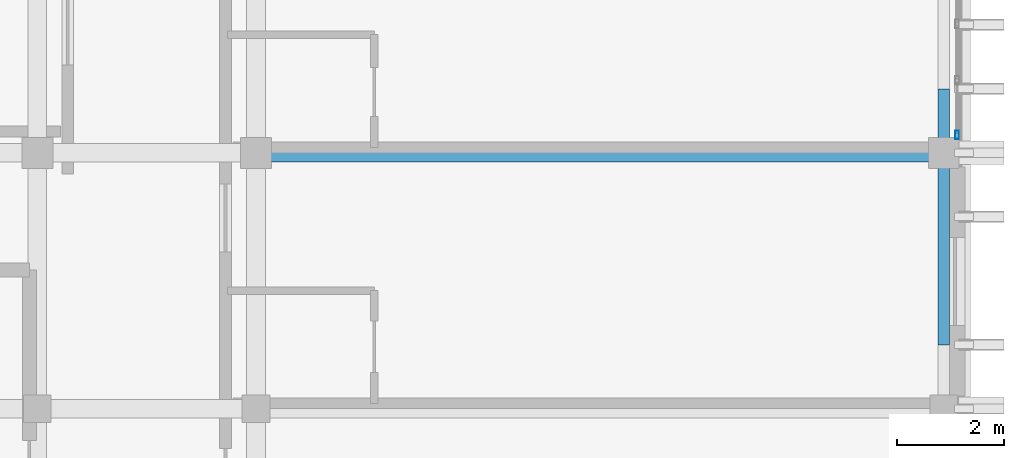
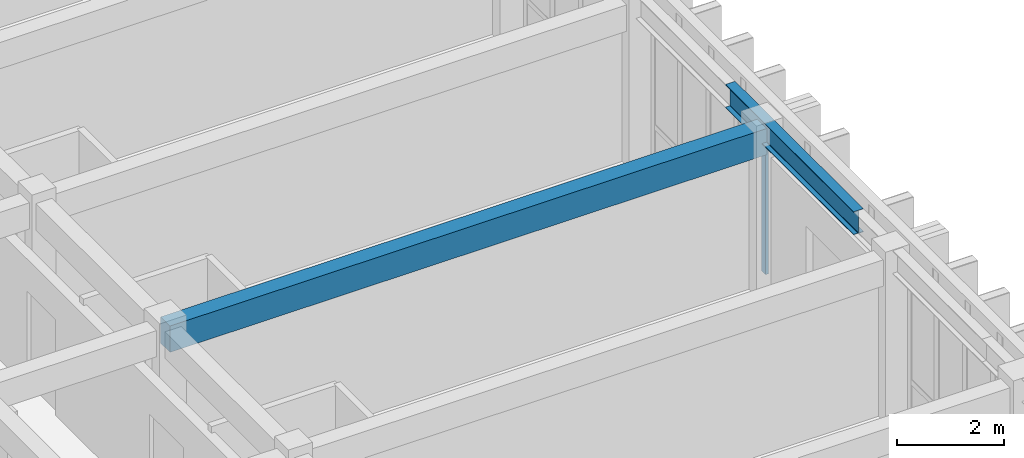
# One storey, part 18 of 49: 2 beams, 1 member, 1 element without a shape of its own.
"""IFC4 building model written with IfcOpenShell, lengths in metres."""

from ifc_helpers import new_model, si_unit, direction, frame, origin, origin_2d, place, context, subcontext, project, spatial, rectangle, hollow_rectangle, i_section, extrude, material, layer, layer_set, material_profile, profile_set, type_object, element, aggregate, save


model = new_model("IFC4")

# Units and contexts
model_context = context("Model", 3, precision=1e-05, world=origin(), true_north=direction((0.0, 1.0)))
body_context = subcontext(model_context, "Body", "Model", "MODEL_VIEW")
ifc_project = project(units=[si_unit("LENGTHUNIT", "METRE"), si_unit("AREAUNIT", "SQUARE_METRE"), si_unit("VOLUMEUNIT", "CUBIC_METRE"), si_unit("PLANEANGLEUNIT", "RADIAN"), si_unit("MASSUNIT", "GRAM", prefix="KILO")], contexts=[model_context])

# Site, building, storey
site_placement = place(None, origin())
site = spatial("IfcSite", under=ifc_project, at=site_placement, CompositionType="ELEMENT")
building_placement = place(site_placement, origin())
building = spatial("IfcBuilding", under=site, at=building_placement, Name="Nakhvara Creek Congress Hotel", CompositionType="ELEMENT")
storey_placement = place(building_placement, frame((0.0, 0.0, 46.5)))
storey = spatial("IfcBuildingStorey", under=building, at=storey_placement, Name="L11", CompositionType="ELEMENT", Elevation=46.5)

# Beams
ifc_material_1 = material(Name="Concrete C40/50", Category="concrete")
ifc_material_profile_1 = material_profile(ifc_material_1, rectangle(XDim=0.35009765625, YDim=0.60009765625, at=origin_2d()), Name="RC-BM 350x600", Category="LoadBearing")
ifc_profile_set_1 = profile_set([ifc_material_profile_1], Name="Concrete C40/50")
beam_type_1 = type_object("IfcBeamType", Name="BM-RC-350X600", PredefinedType="BEAM", material=ifc_profile_set_1)
beam_1_placement = place(storey_placement, frame((166.449951171875, 96.0, 3.3798828125), z_axis=(1.0, 0.0, 0.0), x_axis=(0.0, 1.0, 0.0)))
element("IfcBeam", 1, at=beam_1_placement, inside=storey, type_object=beam_type_1, Name="Beam B07-L11-2753", PredefinedType="BEAM", context=body_context, shape_type="SweptSolid", body=[
    extrude(rectangle(XDim=0.35009765625, YDim=0.60009765625, at=origin_2d()), origin(), (0.0, 0.0, 1.0), 12.900146484375),
])
ifc_material_2 = material(Name="Steel S355J2", Category="steel")
ifc_material_profile_2 = material_profile(ifc_material_2, i_section(OverallWidth=0.209228515625, OverallDepth=0.533203125, WebThickness=0.010009765625, FlangeThickness=0.015625, FilletRadius=0.0126953125, at=origin_2d()), Name="UB 533x210x92", Category="LoadBearing")
ifc_profile_set_2 = profile_set([ifc_material_profile_2], Name="Steel S355J2")
beam_type_2 = type_object("IfcBeamType", Name="BM-ST-UB533", PredefinedType="BEAM", material=ifc_profile_set_2)
beam_2_placement = place(storey_placement, frame((179.35009765625, 92.39990234375, 3.6201171875), z_axis=(0.0, 1.0, 0.0), x_axis=(-1.0, 0.0, 0.0)))
element("IfcBeam", 2, at=beam_2_placement, inside=storey, type_object=beam_type_2, Name="Hotel Gable Eave Beam E-05", PredefinedType="BEAM", context=body_context, shape_type="SweptSolid", body=[
    extrude(i_section(OverallWidth=0.209228515625, OverallDepth=0.533203125, WebThickness=0.010009765625, FlangeThickness=0.015625, FilletRadius=0.0126953125, at=origin_2d()), origin(), (0.0, 0.0, 1.0), 4.800048828125),
])

# Curtain wall, member
ifc_material_3 = material(Name="Bronze-anodised aluminium AW-6063-T6 and double-silver low-E glass", Category="aluminium")
ifc_layer = layer(ifc_material_3, 0.199951171875)
ifc_layer_set = layer_set([ifc_layer], Name="Bronze-anodised aluminium AW-6063-T6 and double-silver low-E glass")
curtain_wall_type = type_object("IfcCurtainWallType", Name="CW-HTL-UNIT", PredefinedType="USERDEFINED", material=ifc_layer_set)
curtain_wall_placement = place(storey_placement, origin())
curtain_wall = element("IfcCurtainWall", 3, at=curtain_wall_placement, inside=storey, type_object=curtain_wall_type, Name="Curtain Wall CW340", ObjectType="UNITISED", PredefinedType="USERDEFINED")
ifc_material_4 = material(Name="Bronze-anodised aluminium AW-6063-T6", Category="aluminium")
ifc_material_profile_3 = material_profile(ifc_material_4, hollow_rectangle(XDim=0.06494140625, YDim=0.159912109375, WallThickness=0.00390625, at=origin_2d()), Name="ALU-MULL 65x160x4", Category="LoadBearing")
ifc_profile_set_3 = profile_set([ifc_material_profile_3], Name="Bronze-anodised aluminium AW-6063-T6")
member_type = type_object("IfcMemberType", Name="CW-MULL-160", PredefinedType="MULLION", material=ifc_profile_set_3)
member_placement = place(storey_placement, frame((179.60009765625, 96.33740234375, 0.0), z_axis=(0.0, 0.0, 1.0), x_axis=(1.0, 0.0, 0.0)))
member = element("IfcMember", 4, at=member_placement, type_object=member_type, Name="CW340 mullion 5", PredefinedType="MULLION", context=body_context, shape_type="SweptSolid", body=[
    extrude(hollow_rectangle(XDim=0.06494140625, YDim=0.159912109375, WallThickness=0.00390625, at=origin_2d()), origin(), (0.0, 0.0, 1.0), 3.072021484375),
])
aggregate(curtain_wall, [member])

save(model, "model.ifc")
